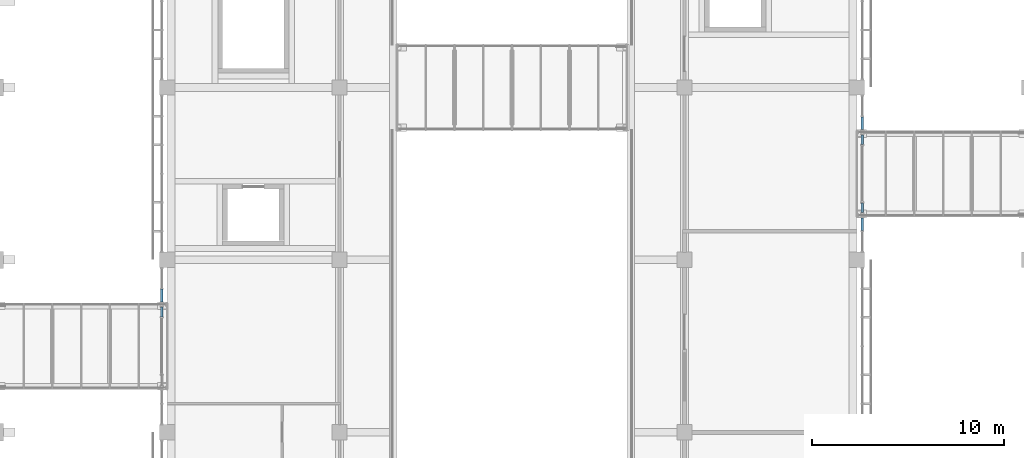
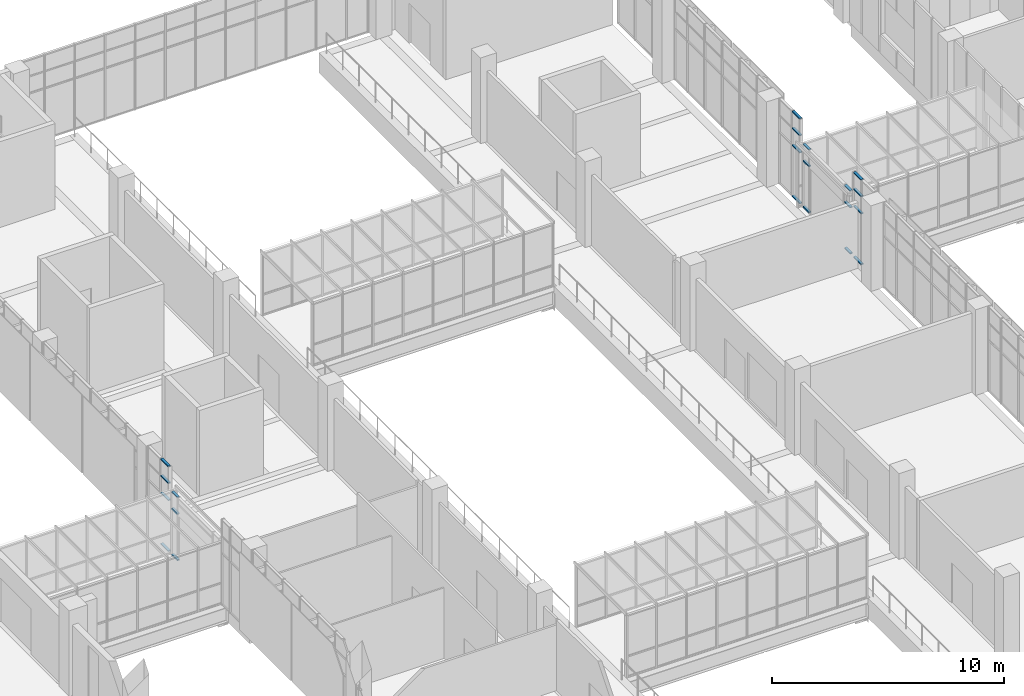
# One storey, part 37 of 88: 21 members, 5 elements without a shape of their own.
"""IFC4 building model written with IfcOpenShell, lengths in metres."""

from ifc_helpers import new_model, si_unit, direction, frame, origin, origin_2d, place, context, subcontext, project, spatial, rectangle, extrude, material, layer, layer_set, material_profile, profile_set, type_object, element, aggregate, save


model = new_model("IFC4")

# Units and contexts
model_context = context("Model", 3, precision=1e-05, world=origin(), true_north=direction((0.0, 1.0)))
body_context = subcontext(model_context, "Body", "Model", "MODEL_VIEW")
ifc_project = project(units=[si_unit("LENGTHUNIT", "METRE"), si_unit("AREAUNIT", "SQUARE_METRE"), si_unit("VOLUMEUNIT", "CUBIC_METRE"), si_unit("PLANEANGLEUNIT", "RADIAN"), si_unit("MASSUNIT", "GRAM", prefix="KILO")], contexts=[model_context])

# Site, building, storey
site_placement = place(None, origin())
site = spatial("IfcSite", under=ifc_project, at=site_placement, CompositionType="ELEMENT")
building_placement = place(site_placement, origin())
building = spatial("IfcBuilding", under=site, at=building_placement, Name="Guidao Yard Department Store", CompositionType="ELEMENT")
storey_placement = place(building_placement, frame((0.0, 0.0, 6.0)))
storey = spatial("IfcBuildingStorey", under=building, at=storey_placement, Name="L01", CompositionType="ELEMENT", Elevation=6.0)

# Curtain wall, members
ifc_material_1 = material(Name="Aluminium and glass", Category="aluminium")
ifc_layer = layer(ifc_material_1, 0.159912109375)
ifc_layer_set = layer_set([ifc_layer], Name="Shopfront curtain wall CW1 1500 module")
curtain_wall_type = type_object("IfcCurtainWallType", Name="Shopfront curtain wall CW1 1500 module", PredefinedType="NOTDEFINED", material=ifc_layer_set)
curtain_wall_1_placement = place(storey_placement, origin())
curtain_wall_1 = element("IfcCurtainWall", 1, at=curtain_wall_1_placement, inside=storey, type_object=curtain_wall_type, Name="Arcade shop front", PredefinedType="NOTDEFINED")
ifc_material_2 = material(Name="Aluminium 6063-T5", Category="aluminium")
ifc_material_profile = material_profile(ifc_material_2, rectangle(XDim=0.1201171875, YDim=0.06005859375, at=origin_2d()), Name="Transom T1 60 x 120 aluminium pressure plate")
ifc_profile_set = profile_set([ifc_material_profile], Name="Aluminium 6063-T5")
member_type = type_object("IfcMemberType", Name="Transom T1 60 x 120 aluminium pressure plate", PredefinedType="USERDEFINED", material=ifc_profile_set)
member_1_placement = place(storey_placement, frame((71.719970703125, 78.030029296875, 0.030029296875), z_axis=(0.0, 1.0, 0.0), x_axis=(-1.0, 0.0, 0.0)))
member_1 = element("IfcMember", 2, at=member_1_placement, type_object=member_type, Name="CW-AS-L01-07 transom 3.1", ObjectType="TRANSOM", PredefinedType="USERDEFINED", context=body_context, shape_type="SweptSolid", body=[
    extrude(rectangle(XDim=0.1201171875, YDim=0.06005859375, at=origin_2d()), origin(), (0.0, 0.0, 1.0), 0.5),
])
member_2_placement = place(storey_placement, frame((71.719970703125, 78.030029296875, 2.449951171875), z_axis=(0.0, 1.0, 0.0), x_axis=(-1.0, 0.0, 0.0)))
member_2 = element("IfcMember", 3, at=member_2_placement, type_object=member_type, Name="CW-AS-L01-07 transom 3.2", ObjectType="TRANSOM", PredefinedType="USERDEFINED", context=body_context, shape_type="SweptSolid", body=[
    extrude(rectangle(XDim=0.1201171875, YDim=0.06005859375, at=origin_2d()), origin(), (0.0, 0.0, 1.0), 0.5),
])
member_3_placement = place(storey_placement, frame((71.719970703125, 78.030029296875, 3.320068359375), z_axis=(0.0, 1.0, 0.0), x_axis=(-1.0, 0.0, 0.0)))
member_3 = element("IfcMember", 4, at=member_3_placement, type_object=member_type, Name="CW-AS-L01-07 transom 3.3", ObjectType="TRANSOM", PredefinedType="USERDEFINED", context=body_context, shape_type="SweptSolid", body=[
    extrude(rectangle(XDim=0.1201171875, YDim=0.06005859375, at=origin_2d()), origin(), (0.0, 0.0, 1.0), 0.5),
])
aggregate(curtain_wall_1, [member_1, member_2, member_3])

curtain_wall_2_placement = place(storey_placement, origin())
curtain_wall_2 = element("IfcCurtainWall", 5, at=curtain_wall_2_placement, inside=storey, type_object=curtain_wall_type, Name="Arcade shop front", PredefinedType="NOTDEFINED")
member_4_placement = place(storey_placement, frame((71.719970703125, 78.81005859375, 0.030029296875), z_axis=(0.0, 1.0, 0.0), x_axis=(-1.0, 0.0, 0.0)))
member_4 = element("IfcMember", 6, at=member_4_placement, type_object=member_type, Name="CW-AS-L01-08 transom 1.1", ObjectType="TRANSOM", PredefinedType="USERDEFINED", context=body_context, shape_type="SweptSolid", body=[
    extrude(rectangle(XDim=0.1201171875, YDim=0.06005859375, at=origin_2d()), origin(), (0.0, 0.0, 1.0), 0.659912109375),
])
member_5_placement = place(storey_placement, frame((71.719970703125, 78.81005859375, 2.699951171875), z_axis=(0.0, 1.0, 0.0), x_axis=(-1.0, 0.0, 0.0)))
member_5 = element("IfcMember", 7, at=member_5_placement, type_object=member_type, Name="CW-AS-L01-08 transom 1.2", ObjectType="TRANSOM", PredefinedType="USERDEFINED", context=body_context, shape_type="SweptSolid", body=[
    extrude(rectangle(XDim=0.1201171875, YDim=0.06005859375, at=origin_2d()), origin(), (0.0, 0.0, 1.0), 0.659912109375),
])
member_6_placement = place(storey_placement, frame((71.719970703125, 78.81005859375, 3.60009765625), z_axis=(0.0, 1.0, 0.0), x_axis=(-1.0, 0.0, 0.0)))
member_6 = element("IfcMember", 8, at=member_6_placement, type_object=member_type, Name="CW-AS-L01-08 transom 1.3", ObjectType="TRANSOM", PredefinedType="USERDEFINED", context=body_context, shape_type="SweptSolid", body=[
    extrude(rectangle(XDim=0.1201171875, YDim=0.06005859375, at=origin_2d()), origin(), (0.0, 0.0, 1.0), 0.659912109375),
])
member_7_placement = place(storey_placement, frame((71.719970703125, 78.81005859375, 4.469970703125), z_axis=(0.0, 1.0, 0.0), x_axis=(-1.0, 0.0, 0.0)))
member_7 = element("IfcMember", 9, at=member_7_placement, type_object=member_type, Name="CW-AS-L01-08 transom 1.4", ObjectType="TRANSOM", PredefinedType="USERDEFINED", context=body_context, shape_type="SweptSolid", body=[
    extrude(rectangle(XDim=0.1201171875, YDim=0.06005859375, at=origin_2d()), origin(), (0.0, 0.0, 1.0), 0.659912109375),
])
aggregate(curtain_wall_2, [member_4, member_5, member_6, member_7])

curtain_wall_3_placement = place(storey_placement, origin())
curtain_wall_3 = element("IfcCurtainWall", 10, at=curtain_wall_3_placement, inside=storey, type_object=curtain_wall_type, Name="Arcade shop front", PredefinedType="NOTDEFINED")
member_8_placement = place(storey_placement, frame((108.280029296875, 83.18994140625, 0.030029296875), z_axis=(0.0, -1.0, 0.0), x_axis=(1.0, 0.0, 0.0)))
member_8 = element("IfcMember", 11, at=member_8_placement, type_object=member_type, Name="CW-AS-L01-18 transom 2.1", ObjectType="TRANSOM", PredefinedType="USERDEFINED", context=body_context, shape_type="SweptSolid", body=[
    extrude(rectangle(XDim=0.1201171875, YDim=0.06005859375, at=origin_2d()), origin(), (0.0, 0.0, 1.0), 0.659912109375),
])
member_9_placement = place(storey_placement, frame((108.280029296875, 83.18994140625, 2.699951171875), z_axis=(0.0, -1.0, 0.0), x_axis=(1.0, 0.0, 0.0)))
member_9 = element("IfcMember", 12, at=member_9_placement, type_object=member_type, Name="CW-AS-L01-18 transom 2.2", ObjectType="TRANSOM", PredefinedType="USERDEFINED", context=body_context, shape_type="SweptSolid", body=[
    extrude(rectangle(XDim=0.1201171875, YDim=0.06005859375, at=origin_2d()), origin(), (0.0, 0.0, 1.0), 0.659912109375),
])
member_10_placement = place(storey_placement, frame((108.280029296875, 83.18994140625, 3.60009765625), z_axis=(0.0, -1.0, 0.0), x_axis=(1.0, 0.0, 0.0)))
member_10 = element("IfcMember", 13, at=member_10_placement, type_object=member_type, Name="CW-AS-L01-18 transom 2.3", ObjectType="TRANSOM", PredefinedType="USERDEFINED", context=body_context, shape_type="SweptSolid", body=[
    extrude(rectangle(XDim=0.1201171875, YDim=0.06005859375, at=origin_2d()), origin(), (0.0, 0.0, 1.0), 0.659912109375),
])
member_11_placement = place(storey_placement, frame((108.280029296875, 83.18994140625, 4.469970703125), z_axis=(0.0, -1.0, 0.0), x_axis=(1.0, 0.0, 0.0)))
member_11 = element("IfcMember", 14, at=member_11_placement, type_object=member_type, Name="CW-AS-L01-18 transom 2.4", ObjectType="TRANSOM", PredefinedType="USERDEFINED", context=body_context, shape_type="SweptSolid", body=[
    extrude(rectangle(XDim=0.1201171875, YDim=0.06005859375, at=origin_2d()), origin(), (0.0, 0.0, 1.0), 0.659912109375),
])
aggregate(curtain_wall_3, [member_8, member_9, member_10, member_11])

curtain_wall_4_placement = place(storey_placement, origin())
curtain_wall_4 = element("IfcCurtainWall", 15, at=curtain_wall_4_placement, inside=storey, type_object=curtain_wall_type, Name="Arcade shop front", PredefinedType="NOTDEFINED")
member_12_placement = place(storey_placement, frame((108.280029296875, 83.969970703125, 0.030029296875), z_axis=(0.0, -1.0, 0.0), x_axis=(1.0, 0.0, 0.0)))
member_12 = element("IfcMember", 16, at=member_12_placement, type_object=member_type, Name="CW-AS-L01-19 transom 1.1", ObjectType="TRANSOM", PredefinedType="USERDEFINED", context=body_context, shape_type="SweptSolid", body=[
    extrude(rectangle(XDim=0.1201171875, YDim=0.06005859375, at=origin_2d()), origin(), (0.0, 0.0, 1.0), 0.5),
])
member_13_placement = place(storey_placement, frame((108.280029296875, 83.969970703125, 2.449951171875), z_axis=(0.0, -1.0, 0.0), x_axis=(1.0, 0.0, 0.0)))
member_13 = element("IfcMember", 17, at=member_13_placement, type_object=member_type, Name="CW-AS-L01-19 transom 1.2", ObjectType="TRANSOM", PredefinedType="USERDEFINED", context=body_context, shape_type="SweptSolid", body=[
    extrude(rectangle(XDim=0.1201171875, YDim=0.06005859375, at=origin_2d()), origin(), (0.0, 0.0, 1.0), 0.5),
])
member_14_placement = place(storey_placement, frame((108.280029296875, 83.969970703125, 3.320068359375), z_axis=(0.0, -1.0, 0.0), x_axis=(1.0, 0.0, 0.0)))
member_14 = element("IfcMember", 18, at=member_14_placement, type_object=member_type, Name="CW-AS-L01-19 transom 1.3", ObjectType="TRANSOM", PredefinedType="USERDEFINED", context=body_context, shape_type="SweptSolid", body=[
    extrude(rectangle(XDim=0.1201171875, YDim=0.06005859375, at=origin_2d()), origin(), (0.0, 0.0, 1.0), 0.5),
])
member_15_placement = place(storey_placement, frame((108.280029296875, 87.530029296875, 0.030029296875), z_axis=(0.0, -1.0, 0.0), x_axis=(1.0, 0.0, 0.0)))
member_15 = element("IfcMember", 19, at=member_15_placement, type_object=member_type, Name="CW-AS-L01-19 transom 3.1", ObjectType="TRANSOM", PredefinedType="USERDEFINED", context=body_context, shape_type="SweptSolid", body=[
    extrude(rectangle(XDim=0.1201171875, YDim=0.06005859375, at=origin_2d()), origin(), (0.0, 0.0, 1.0), 0.5),
])
member_16_placement = place(storey_placement, frame((108.280029296875, 87.530029296875, 2.449951171875), z_axis=(0.0, -1.0, 0.0), x_axis=(1.0, 0.0, 0.0)))
member_16 = element("IfcMember", 20, at=member_16_placement, type_object=member_type, Name="CW-AS-L01-19 transom 3.2", ObjectType="TRANSOM", PredefinedType="USERDEFINED", context=body_context, shape_type="SweptSolid", body=[
    extrude(rectangle(XDim=0.1201171875, YDim=0.06005859375, at=origin_2d()), origin(), (0.0, 0.0, 1.0), 0.5),
])
member_17_placement = place(storey_placement, frame((108.280029296875, 87.530029296875, 3.320068359375), z_axis=(0.0, -1.0, 0.0), x_axis=(1.0, 0.0, 0.0)))
member_17 = element("IfcMember", 21, at=member_17_placement, type_object=member_type, Name="CW-AS-L01-19 transom 3.3", ObjectType="TRANSOM", PredefinedType="USERDEFINED", context=body_context, shape_type="SweptSolid", body=[
    extrude(rectangle(XDim=0.1201171875, YDim=0.06005859375, at=origin_2d()), origin(), (0.0, 0.0, 1.0), 0.5),
])
aggregate(curtain_wall_4, [member_12, member_13, member_14, member_15, member_16, member_17])

curtain_wall_5_placement = place(storey_placement, origin())
curtain_wall_5 = element("IfcCurtainWall", 22, at=curtain_wall_5_placement, inside=storey, type_object=curtain_wall_type, Name="Arcade shop front", PredefinedType="NOTDEFINED")
member_18_placement = place(storey_placement, frame((108.280029296875, 88.469970703125, 0.030029296875), z_axis=(0.0, -1.0, 0.0), x_axis=(1.0, 0.0, 0.0)))
member_18 = element("IfcMember", 23, at=member_18_placement, type_object=member_type, Name="CW-AS-L01-20 transom 1.1", ObjectType="TRANSOM", PredefinedType="USERDEFINED", context=body_context, shape_type="SweptSolid", body=[
    extrude(rectangle(XDim=0.1201171875, YDim=0.06005859375, at=origin_2d()), origin(), (0.0, 0.0, 1.0), 0.659912109375),
])
member_19_placement = place(storey_placement, frame((108.280029296875, 88.469970703125, 2.699951171875), z_axis=(0.0, -1.0, 0.0), x_axis=(1.0, 0.0, 0.0)))
member_19 = element("IfcMember", 24, at=member_19_placement, type_object=member_type, Name="CW-AS-L01-20 transom 1.2", ObjectType="TRANSOM", PredefinedType="USERDEFINED", context=body_context, shape_type="SweptSolid", body=[
    extrude(rectangle(XDim=0.1201171875, YDim=0.06005859375, at=origin_2d()), origin(), (0.0, 0.0, 1.0), 0.659912109375),
])
member_20_placement = place(storey_placement, frame((108.280029296875, 88.469970703125, 3.60009765625), z_axis=(0.0, -1.0, 0.0), x_axis=(1.0, 0.0, 0.0)))
member_20 = element("IfcMember", 25, at=member_20_placement, type_object=member_type, Name="CW-AS-L01-20 transom 1.3", ObjectType="TRANSOM", PredefinedType="USERDEFINED", context=body_context, shape_type="SweptSolid", body=[
    extrude(rectangle(XDim=0.1201171875, YDim=0.06005859375, at=origin_2d()), origin(), (0.0, 0.0, 1.0), 0.659912109375),
])
member_21_placement = place(storey_placement, frame((108.280029296875, 88.469970703125, 4.469970703125), z_axis=(0.0, -1.0, 0.0), x_axis=(1.0, 0.0, 0.0)))
member_21 = element("IfcMember", 26, at=member_21_placement, type_object=member_type, Name="CW-AS-L01-20 transom 1.4", ObjectType="TRANSOM", PredefinedType="USERDEFINED", context=body_context, shape_type="SweptSolid", body=[
    extrude(rectangle(XDim=0.1201171875, YDim=0.06005859375, at=origin_2d()), origin(), (0.0, 0.0, 1.0), 0.659912109375),
])
aggregate(curtain_wall_5, [member_18, member_19, member_20, member_21])

save(model, "model.ifc")
